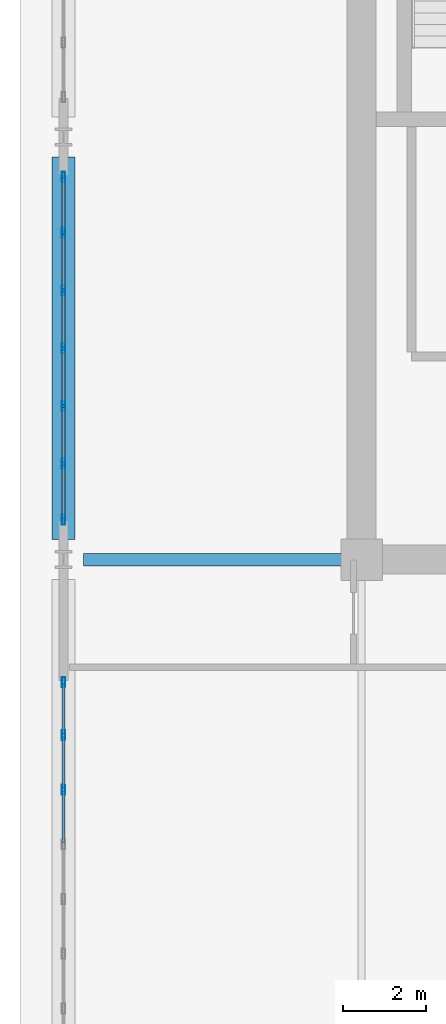
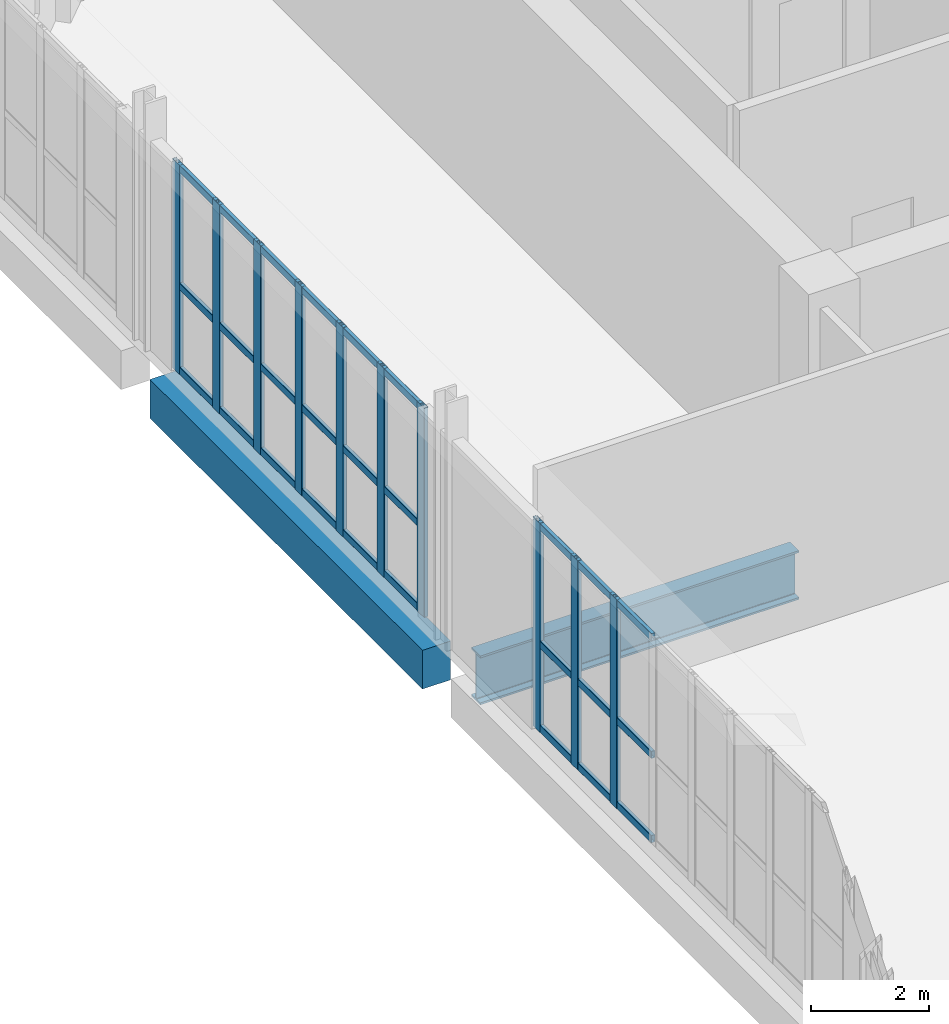
# One storey, part 6 of 26: 37 members, 2 beams, 2 elements without a shape of their own.
"""IFC4 building model written with IfcOpenShell, lengths in metres."""

from ifc_helpers import new_model, si_unit, direction, frame, origin, origin_2d, place, context, subcontext, project, spatial, rectangle, hollow_rectangle, i_section, extrude, material, layer, layer_set, material_profile, profile_set, type_object, element, aggregate, save


model = new_model("IFC4")

# Units and contexts
model_context = context("Model", 3, precision=1e-05, world=origin(), true_north=direction((0.0, 1.0)))
body_context = subcontext(model_context, "Body", "Model", "MODEL_VIEW")
ifc_project = project(units=[si_unit("LENGTHUNIT", "METRE"), si_unit("AREAUNIT", "SQUARE_METRE"), si_unit("VOLUMEUNIT", "CUBIC_METRE"), si_unit("PLANEANGLEUNIT", "RADIAN"), si_unit("MASSUNIT", "GRAM", prefix="KILO")], contexts=[model_context])

# Site, building, storey
site_placement = place(None, origin())
site = spatial("IfcSite", under=ifc_project, at=site_placement, CompositionType="ELEMENT")
building_placement = place(site_placement, origin())
building = spatial("IfcBuilding", under=site, at=building_placement, Name="Kaelvorn Grand Hotel", CompositionType="ELEMENT")
storey_placement = place(building_placement, frame((0.0, 0.0, 294.699951171875)))
storey = spatial("IfcBuildingStorey", under=building, at=storey_placement, Name="L72", CompositionType="ELEMENT", Elevation=294.699951171875)

# Beams
ifc_material_1 = material(Name="Steel S460", Category="steel")
ifc_material_profile_1 = material_profile(ifc_material_1, i_section(OverallWidth=0.302001953125, OverallDepth=1.008056640625, WebThickness=0.02099609375, FlangeThickness=0.0400390625, FilletRadius=0.024169921875, at=origin_2d()), Name="UB 1016x305x349")
ifc_profile_set_1 = profile_set([ifc_material_profile_1], Name="Steel S460")
beam_type_1 = type_object("IfcBeamType", Name="BM-G-UB1016-S460", PredefinedType="BEAM", material=ifc_profile_set_1)
beam_1_placement = place(storey_placement, frame((9.485107421875, 29.39990234375, -0.884033203125), z_axis=(1.0, 0.0, 0.0), x_axis=(0.0, 1.0, 0.0)))
element("IfcBeam", 1, at=beam_1_placement, inside=storey, type_object=beam_type_1, Name="L72 West Core Wing Steel Girder G-29W 01", PredefinedType="BEAM", context=body_context, shape_type="SweptSolid", body=[
    extrude(i_section(OverallWidth=0.302001953125, OverallDepth=1.008056640625, WebThickness=0.02099609375, FlangeThickness=0.0400390625, FilletRadius=0.024169921875, at=origin_2d()), origin(), (0.0, 0.0, 1.0), 6.22998046875),
])
ifc_material_2 = material(Name="Concrete C50/60", Category="concrete")
ifc_material_profile_2 = material_profile(ifc_material_2, rectangle(XDim=0.550048828125, YDim=0.800048828125, at=origin_2d()), Name="RC SPANDREL 550x800")
ifc_profile_set_2 = profile_set([ifc_material_profile_2], Name="Concrete C50/60")
beam_type_2 = type_object("IfcBeamType", Name="BM-SP-550x800-C50", PredefinedType="SPANDREL", material=ifc_profile_set_2)
beam_2_placement = place(storey_placement, frame((9.0, 29.885009765625, -0.780029296875), z_axis=(0.0, 1.0, 0.0), x_axis=(-1.0, 0.0, 0.0)))
element("IfcBeam", 2, at=beam_2_placement, inside=storey, type_object=beam_type_2, Name="L72 West Perimeter Spandrel 03", PredefinedType="SPANDREL", context=body_context, shape_type="SweptSolid", body=[
    extrude(rectangle(XDim=0.550048828125, YDim=0.800048828125, at=origin_2d()), origin(), (0.0, 0.0, 1.0), 9.22998046875),
])

# Curtain wall, members
ifc_material_3 = material(Name="Anodised Aluminium", Category="aluminium")
ifc_layer = layer(ifc_material_3, 0.239990234375)
ifc_layer_set = layer_set([ifc_layer], Name="Anodised Aluminium")
curtain_wall_type = type_object("IfcCurtainWallType", Name="CW-SYS5", PredefinedType="NOTDEFINED", material=ifc_layer_set)
curtain_wall_1_placement = place(storey_placement, origin())
curtain_wall_1 = element("IfcCurtainWall", 3, at=curtain_wall_1_placement, inside=storey, type_object=curtain_wall_type, Name="L72 Unitised Curtain Wall CW5 (CW-L72-W-03)", PredefinedType="NOTDEFINED")
ifc_material_profile_3 = material_profile(ifc_material_3, hollow_rectangle(XDim=0.080078125, YDim=0.239990234375, WallThickness=0.0048828125, InnerFilletRadius=0.0048828125, OuterFilletRadius=0.010009765625, at=origin_2d()), Name="ALU MULL 80x240")
ifc_profile_set_3 = profile_set([ifc_material_profile_3], Name="Anodised Aluminium")
member_type_1 = type_object("IfcMemberType", Name="CW-SYS5-MULL", PredefinedType="MULLION", material=ifc_profile_set_3)
member_1_placement = place(storey_placement, frame((9.0, 38.639892578125, 0.0), z_axis=(0.0, 0.0, 1.0), x_axis=(1.0, 0.0, 0.0)))
member_1 = element("IfcMember", 4, at=member_1_placement, type_object=member_type_1, Name="CW5 mullion 1", PredefinedType="MULLION", context=body_context, shape_type="SweptSolid", body=[
    extrude(hollow_rectangle(XDim=0.080078125, YDim=0.239990234375, WallThickness=0.0048828125, InnerFilletRadius=0.0048828125, OuterFilletRadius=0.010009765625, at=origin_2d()), origin(), (0.0, 0.0, 1.0), 4.320068359375),
])
member_2_placement = place(storey_placement, frame((9.0, 37.28662109375, 0.0), z_axis=(0.0, 0.0, 1.0), x_axis=(1.0, 0.0, 0.0)))
member_2 = element("IfcMember", 5, at=member_2_placement, type_object=member_type_1, Name="CW5 mullion 2", PredefinedType="MULLION", context=body_context, shape_type="SweptSolid", body=[
    extrude(hollow_rectangle(XDim=0.080078125, YDim=0.239990234375, WallThickness=0.0048828125, InnerFilletRadius=0.0048828125, OuterFilletRadius=0.010009765625, at=origin_2d()), origin(), (0.0, 0.0, 1.0), 4.320068359375),
])
member_3_placement = place(storey_placement, frame((9.0, 35.893310546875, 0.0), z_axis=(0.0, 0.0, 1.0), x_axis=(1.0, 0.0, 0.0)))
member_3 = element("IfcMember", 6, at=member_3_placement, type_object=member_type_1, Name="CW5 mullion 3", PredefinedType="MULLION", context=body_context, shape_type="SweptSolid", body=[
    extrude(hollow_rectangle(XDim=0.080078125, YDim=0.239990234375, WallThickness=0.0048828125, InnerFilletRadius=0.0048828125, OuterFilletRadius=0.010009765625, at=origin_2d()), origin(), (0.0, 0.0, 1.0), 4.320068359375),
])
member_4_placement = place(storey_placement, frame((9.0, 34.5, 0.0), z_axis=(0.0, 0.0, 1.0), x_axis=(1.0, 0.0, 0.0)))
member_4 = element("IfcMember", 7, at=member_4_placement, type_object=member_type_1, Name="CW5 mullion 4", PredefinedType="MULLION", context=body_context, shape_type="SweptSolid", body=[
    extrude(hollow_rectangle(XDim=0.080078125, YDim=0.239990234375, WallThickness=0.0048828125, InnerFilletRadius=0.0048828125, OuterFilletRadius=0.010009765625, at=origin_2d()), origin(), (0.0, 0.0, 1.0), 4.320068359375),
])
member_5_placement = place(storey_placement, frame((9.0, 33.106689453125, 0.0), z_axis=(0.0, 0.0, 1.0), x_axis=(1.0, 0.0, 0.0)))
member_5 = element("IfcMember", 8, at=member_5_placement, type_object=member_type_1, Name="CW5 mullion 5", PredefinedType="MULLION", context=body_context, shape_type="SweptSolid", body=[
    extrude(hollow_rectangle(XDim=0.080078125, YDim=0.239990234375, WallThickness=0.0048828125, InnerFilletRadius=0.0048828125, OuterFilletRadius=0.010009765625, at=origin_2d()), origin(), (0.0, 0.0, 1.0), 4.320068359375),
])
member_6_placement = place(storey_placement, frame((9.0, 31.71337890625, 0.0), z_axis=(0.0, 0.0, 1.0), x_axis=(1.0, 0.0, 0.0)))
member_6 = element("IfcMember", 9, at=member_6_placement, type_object=member_type_1, Name="CW5 mullion 6", PredefinedType="MULLION", context=body_context, shape_type="SweptSolid", body=[
    extrude(hollow_rectangle(XDim=0.080078125, YDim=0.239990234375, WallThickness=0.0048828125, InnerFilletRadius=0.0048828125, OuterFilletRadius=0.010009765625, at=origin_2d()), origin(), (0.0, 0.0, 1.0), 4.320068359375),
])
member_7_placement = place(storey_placement, frame((9.0, 30.360107421875, 0.0), z_axis=(0.0, 0.0, 1.0), x_axis=(1.0, 0.0, 0.0)))
member_7 = element("IfcMember", 10, at=member_7_placement, type_object=member_type_1, Name="CW5 mullion 7", PredefinedType="MULLION", context=body_context, shape_type="SweptSolid", body=[
    extrude(hollow_rectangle(XDim=0.080078125, YDim=0.239990234375, WallThickness=0.0048828125, InnerFilletRadius=0.0048828125, OuterFilletRadius=0.010009765625, at=origin_2d()), origin(), (0.0, 0.0, 1.0), 4.320068359375),
])

curtain_wall_2_placement = place(storey_placement, origin())
curtain_wall_2 = element("IfcCurtainWall", 11, at=curtain_wall_2_placement, inside=storey, type_object=curtain_wall_type, Name="L72 Unitised Curtain Wall CW5 (CW-L72-W-02)", PredefinedType="NOTDEFINED")
member_8_placement = place(storey_placement, frame((9.0, 26.43994140625, 0.0), z_axis=(0.0, 0.0, 1.0), x_axis=(1.0, 0.0, 0.0)))
member_8 = element("IfcMember", 12, at=member_8_placement, type_object=member_type_1, Name="CW5 mullion 1", PredefinedType="MULLION", context=body_context, shape_type="SweptSolid", body=[
    extrude(hollow_rectangle(XDim=0.080078125, YDim=0.239990234375, WallThickness=0.0048828125, InnerFilletRadius=0.0048828125, OuterFilletRadius=0.010009765625, at=origin_2d()), origin(), (0.0, 0.0, 1.0), 4.320068359375),
])
member_9_placement = place(storey_placement, frame((9.0, 25.159912109375, 0.0), z_axis=(0.0, 0.0, 1.0), x_axis=(1.0, 0.0, 0.0)))
member_9 = element("IfcMember", 13, at=member_9_placement, type_object=member_type_1, Name="CW5 mullion 2", PredefinedType="MULLION", context=body_context, shape_type="SweptSolid", body=[
    extrude(hollow_rectangle(XDim=0.080078125, YDim=0.239990234375, WallThickness=0.0048828125, InnerFilletRadius=0.0048828125, OuterFilletRadius=0.010009765625, at=origin_2d()), origin(), (0.0, 0.0, 1.0), 4.320068359375),
])
member_10_placement = place(storey_placement, frame((9.0, 23.840087890625, 0.0), z_axis=(0.0, 0.0, 1.0), x_axis=(1.0, 0.0, 0.0)))
member_10 = element("IfcMember", 14, at=member_10_placement, type_object=member_type_1, Name="CW5 mullion 3", PredefinedType="MULLION", context=body_context, shape_type="SweptSolid", body=[
    extrude(hollow_rectangle(XDim=0.080078125, YDim=0.239990234375, WallThickness=0.0048828125, InnerFilletRadius=0.0048828125, OuterFilletRadius=0.010009765625, at=origin_2d()), origin(), (0.0, 0.0, 1.0), 4.320068359375),
])

# Member
ifc_material_profile_4 = material_profile(ifc_material_3, hollow_rectangle(XDim=0.074951171875, YDim=0.14990234375, WallThickness=0.00390625, InnerFilletRadius=0.00390625, OuterFilletRadius=0.008056640625, at=origin_2d()), Name="ALU TRAN 75x150")
ifc_profile_set_4 = profile_set([ifc_material_profile_4], Name="Anodised Aluminium")
member_type_2 = type_object("IfcMemberType", Name="CW-SYS5-TRAN", PredefinedType="NOTDEFINED", material=ifc_profile_set_4)
member_11_placement = place(storey_placement, frame((9.0, 38.60009765625, 0.074951171875), z_axis=(0.0, -1.0, 0.0), x_axis=(1.0, 0.0, 0.0)))
member_11 = element("IfcMember", 15, at=member_11_placement, type_object=member_type_2, Name="CW5 transom 1.1", ObjectType="TRANSOM", PredefinedType="USERDEFINED", context=body_context, shape_type="SweptSolid", body=[
    extrude(hollow_rectangle(XDim=0.074951171875, YDim=0.14990234375, WallThickness=0.00390625, InnerFilletRadius=0.00390625, OuterFilletRadius=0.008056640625, at=origin_2d()), origin(), (0.0, 0.0, 1.0), 1.2734375),
])

member_12_placement = place(storey_placement, frame((9.0, 38.60009765625, 1.814453125), z_axis=(0.0, -1.0, 0.0), x_axis=(1.0, 0.0, 0.0)))
member_12 = element("IfcMember", 16, at=member_12_placement, type_object=member_type_2, Name="CW5 transom 1.2", ObjectType="TRANSOM", PredefinedType="USERDEFINED", context=body_context, shape_type="SweptSolid", body=[
    extrude(hollow_rectangle(XDim=0.074951171875, YDim=0.14990234375, WallThickness=0.00390625, InnerFilletRadius=0.00390625, OuterFilletRadius=0.008056640625, at=origin_2d()), origin(), (0.0, 0.0, 1.0), 1.2734375),
])

member_13_placement = place(storey_placement, frame((9.0, 38.60009765625, 4.2451171875), z_axis=(0.0, -1.0, 0.0), x_axis=(1.0, 0.0, 0.0)))
member_13 = element("IfcMember", 17, at=member_13_placement, type_object=member_type_2, Name="CW5 transom 1.3", ObjectType="TRANSOM", PredefinedType="USERDEFINED", context=body_context, shape_type="SweptSolid", body=[
    extrude(hollow_rectangle(XDim=0.074951171875, YDim=0.14990234375, WallThickness=0.00390625, InnerFilletRadius=0.00390625, OuterFilletRadius=0.008056640625, at=origin_2d()), origin(), (0.0, 0.0, 1.0), 1.2734375),
])

member_14_placement = place(storey_placement, frame((9.0, 37.24658203125, 0.074951171875), z_axis=(0.0, -1.0, 0.0), x_axis=(1.0, 0.0, 0.0)))
member_14 = element("IfcMember", 18, at=member_14_placement, type_object=member_type_2, Name="CW5 transom 2.1", ObjectType="TRANSOM", PredefinedType="USERDEFINED", context=body_context, shape_type="SweptSolid", body=[
    extrude(hollow_rectangle(XDim=0.074951171875, YDim=0.14990234375, WallThickness=0.00390625, InnerFilletRadius=0.00390625, OuterFilletRadius=0.008056640625, at=origin_2d()), origin(), (0.0, 0.0, 1.0), 1.313232421875),
])

member_15_placement = place(storey_placement, frame((9.0, 37.24658203125, 1.814453125), z_axis=(0.0, -1.0, 0.0), x_axis=(1.0, 0.0, 0.0)))
member_15 = element("IfcMember", 19, at=member_15_placement, type_object=member_type_2, Name="CW5 transom 2.2", ObjectType="TRANSOM", PredefinedType="USERDEFINED", context=body_context, shape_type="SweptSolid", body=[
    extrude(hollow_rectangle(XDim=0.074951171875, YDim=0.14990234375, WallThickness=0.00390625, InnerFilletRadius=0.00390625, OuterFilletRadius=0.008056640625, at=origin_2d()), origin(), (0.0, 0.0, 1.0), 1.313232421875),
])

member_16_placement = place(storey_placement, frame((9.0, 37.24658203125, 4.2451171875), z_axis=(0.0, -1.0, 0.0), x_axis=(1.0, 0.0, 0.0)))
member_16 = element("IfcMember", 20, at=member_16_placement, type_object=member_type_2, Name="CW5 transom 2.3", ObjectType="TRANSOM", PredefinedType="USERDEFINED", context=body_context, shape_type="SweptSolid", body=[
    extrude(hollow_rectangle(XDim=0.074951171875, YDim=0.14990234375, WallThickness=0.00390625, InnerFilletRadius=0.00390625, OuterFilletRadius=0.008056640625, at=origin_2d()), origin(), (0.0, 0.0, 1.0), 1.313232421875),
])

member_17_placement = place(storey_placement, frame((9.0, 35.853271484375, 0.074951171875), z_axis=(0.0, -1.0, 0.0), x_axis=(1.0, 0.0, 0.0)))
member_17 = element("IfcMember", 21, at=member_17_placement, type_object=member_type_2, Name="CW5 transom 3.1", ObjectType="TRANSOM", PredefinedType="USERDEFINED", context=body_context, shape_type="SweptSolid", body=[
    extrude(hollow_rectangle(XDim=0.074951171875, YDim=0.14990234375, WallThickness=0.00390625, InnerFilletRadius=0.00390625, OuterFilletRadius=0.008056640625, at=origin_2d()), origin(), (0.0, 0.0, 1.0), 1.313232421875),
])

member_18_placement = place(storey_placement, frame((9.0, 35.853271484375, 1.814453125), z_axis=(0.0, -1.0, 0.0), x_axis=(1.0, 0.0, 0.0)))
member_18 = element("IfcMember", 22, at=member_18_placement, type_object=member_type_2, Name="CW5 transom 3.2", ObjectType="TRANSOM", PredefinedType="USERDEFINED", context=body_context, shape_type="SweptSolid", body=[
    extrude(hollow_rectangle(XDim=0.074951171875, YDim=0.14990234375, WallThickness=0.00390625, InnerFilletRadius=0.00390625, OuterFilletRadius=0.008056640625, at=origin_2d()), origin(), (0.0, 0.0, 1.0), 1.313232421875),
])

member_19_placement = place(storey_placement, frame((9.0, 35.853271484375, 4.2451171875), z_axis=(0.0, -1.0, 0.0), x_axis=(1.0, 0.0, 0.0)))
member_19 = element("IfcMember", 23, at=member_19_placement, type_object=member_type_2, Name="CW5 transom 3.3", ObjectType="TRANSOM", PredefinedType="USERDEFINED", context=body_context, shape_type="SweptSolid", body=[
    extrude(hollow_rectangle(XDim=0.074951171875, YDim=0.14990234375, WallThickness=0.00390625, InnerFilletRadius=0.00390625, OuterFilletRadius=0.008056640625, at=origin_2d()), origin(), (0.0, 0.0, 1.0), 1.313232421875),
])

member_20_placement = place(storey_placement, frame((9.0, 34.4599609375, 0.074951171875), z_axis=(0.0, -1.0, 0.0), x_axis=(1.0, 0.0, 0.0)))
member_20 = element("IfcMember", 24, at=member_20_placement, type_object=member_type_2, Name="CW5 transom 4.1", ObjectType="TRANSOM", PredefinedType="USERDEFINED", context=body_context, shape_type="SweptSolid", body=[
    extrude(hollow_rectangle(XDim=0.074951171875, YDim=0.14990234375, WallThickness=0.00390625, InnerFilletRadius=0.00390625, OuterFilletRadius=0.008056640625, at=origin_2d()), origin(), (0.0, 0.0, 1.0), 1.313232421875),
])

member_21_placement = place(storey_placement, frame((9.0, 34.4599609375, 1.814453125), z_axis=(0.0, -1.0, 0.0), x_axis=(1.0, 0.0, 0.0)))
member_21 = element("IfcMember", 25, at=member_21_placement, type_object=member_type_2, Name="CW5 transom 4.2", ObjectType="TRANSOM", PredefinedType="USERDEFINED", context=body_context, shape_type="SweptSolid", body=[
    extrude(hollow_rectangle(XDim=0.074951171875, YDim=0.14990234375, WallThickness=0.00390625, InnerFilletRadius=0.00390625, OuterFilletRadius=0.008056640625, at=origin_2d()), origin(), (0.0, 0.0, 1.0), 1.313232421875),
])

member_22_placement = place(storey_placement, frame((9.0, 34.4599609375, 4.2451171875), z_axis=(0.0, -1.0, 0.0), x_axis=(1.0, 0.0, 0.0)))
member_22 = element("IfcMember", 26, at=member_22_placement, type_object=member_type_2, Name="CW5 transom 4.3", ObjectType="TRANSOM", PredefinedType="USERDEFINED", context=body_context, shape_type="SweptSolid", body=[
    extrude(hollow_rectangle(XDim=0.074951171875, YDim=0.14990234375, WallThickness=0.00390625, InnerFilletRadius=0.00390625, OuterFilletRadius=0.008056640625, at=origin_2d()), origin(), (0.0, 0.0, 1.0), 1.313232421875),
])

member_23_placement = place(storey_placement, frame((9.0, 33.066650390625, 0.074951171875), z_axis=(0.0, -1.0, 0.0), x_axis=(1.0, 0.0, 0.0)))
member_23 = element("IfcMember", 27, at=member_23_placement, type_object=member_type_2, Name="CW5 transom 5.1", ObjectType="TRANSOM", PredefinedType="USERDEFINED", context=body_context, shape_type="SweptSolid", body=[
    extrude(hollow_rectangle(XDim=0.074951171875, YDim=0.14990234375, WallThickness=0.00390625, InnerFilletRadius=0.00390625, OuterFilletRadius=0.008056640625, at=origin_2d()), origin(), (0.0, 0.0, 1.0), 1.313232421875),
])

member_24_placement = place(storey_placement, frame((9.0, 33.066650390625, 1.814453125), z_axis=(0.0, -1.0, 0.0), x_axis=(1.0, 0.0, 0.0)))
member_24 = element("IfcMember", 28, at=member_24_placement, type_object=member_type_2, Name="CW5 transom 5.2", ObjectType="TRANSOM", PredefinedType="USERDEFINED", context=body_context, shape_type="SweptSolid", body=[
    extrude(hollow_rectangle(XDim=0.074951171875, YDim=0.14990234375, WallThickness=0.00390625, InnerFilletRadius=0.00390625, OuterFilletRadius=0.008056640625, at=origin_2d()), origin(), (0.0, 0.0, 1.0), 1.313232421875),
])

member_25_placement = place(storey_placement, frame((9.0, 33.066650390625, 4.2451171875), z_axis=(0.0, -1.0, 0.0), x_axis=(1.0, 0.0, 0.0)))
member_25 = element("IfcMember", 29, at=member_25_placement, type_object=member_type_2, Name="CW5 transom 5.3", ObjectType="TRANSOM", PredefinedType="USERDEFINED", context=body_context, shape_type="SweptSolid", body=[
    extrude(hollow_rectangle(XDim=0.074951171875, YDim=0.14990234375, WallThickness=0.00390625, InnerFilletRadius=0.00390625, OuterFilletRadius=0.008056640625, at=origin_2d()), origin(), (0.0, 0.0, 1.0), 1.313232421875),
])

member_26_placement = place(storey_placement, frame((9.0, 31.67333984375, 0.074951171875), z_axis=(0.0, -1.0, 0.0), x_axis=(1.0, 0.0, 0.0)))
member_26 = element("IfcMember", 30, at=member_26_placement, type_object=member_type_2, Name="CW5 transom 6.1", ObjectType="TRANSOM", PredefinedType="USERDEFINED", context=body_context, shape_type="SweptSolid", body=[
    extrude(hollow_rectangle(XDim=0.074951171875, YDim=0.14990234375, WallThickness=0.00390625, InnerFilletRadius=0.00390625, OuterFilletRadius=0.008056640625, at=origin_2d()), origin(), (0.0, 0.0, 1.0), 1.2734375),
])

member_27_placement = place(storey_placement, frame((9.0, 31.67333984375, 1.814453125), z_axis=(0.0, -1.0, 0.0), x_axis=(1.0, 0.0, 0.0)))
member_27 = element("IfcMember", 31, at=member_27_placement, type_object=member_type_2, Name="CW5 transom 6.2", ObjectType="TRANSOM", PredefinedType="USERDEFINED", context=body_context, shape_type="SweptSolid", body=[
    extrude(hollow_rectangle(XDim=0.074951171875, YDim=0.14990234375, WallThickness=0.00390625, InnerFilletRadius=0.00390625, OuterFilletRadius=0.008056640625, at=origin_2d()), origin(), (0.0, 0.0, 1.0), 1.2734375),
])

member_28_placement = place(storey_placement, frame((9.0, 31.67333984375, 4.2451171875), z_axis=(0.0, -1.0, 0.0), x_axis=(1.0, 0.0, 0.0)))
member_28 = element("IfcMember", 32, at=member_28_placement, type_object=member_type_2, Name="CW5 transom 6.3", ObjectType="TRANSOM", PredefinedType="USERDEFINED", context=body_context, shape_type="SweptSolid", body=[
    extrude(hollow_rectangle(XDim=0.074951171875, YDim=0.14990234375, WallThickness=0.00390625, InnerFilletRadius=0.00390625, OuterFilletRadius=0.008056640625, at=origin_2d()), origin(), (0.0, 0.0, 1.0), 1.2734375),
])

aggregate(curtain_wall_1, [member_1, member_2, member_3, member_4, member_5, member_6, member_7, member_11, member_12, member_13, member_14, member_15, member_16, member_17, member_18, member_19, member_20, member_21, member_22, member_23, member_24, member_25, member_26, member_27, member_28])

member_29_placement = place(storey_placement, frame((9.0, 26.39990234375, 0.074951171875), z_axis=(0.0, -1.0, 0.0), x_axis=(1.0, 0.0, 0.0)))
member_29 = element("IfcMember", 33, at=member_29_placement, type_object=member_type_2, Name="CW5 transom 1.1", ObjectType="TRANSOM", PredefinedType="USERDEFINED", context=body_context, shape_type="SweptSolid", body=[
    extrude(hollow_rectangle(XDim=0.074951171875, YDim=0.14990234375, WallThickness=0.00390625, InnerFilletRadius=0.00390625, OuterFilletRadius=0.008056640625, at=origin_2d()), origin(), (0.0, 0.0, 1.0), 1.199951171875),
])

member_30_placement = place(storey_placement, frame((9.0, 26.39990234375, 1.814453125), z_axis=(0.0, -1.0, 0.0), x_axis=(1.0, 0.0, 0.0)))
member_30 = element("IfcMember", 34, at=member_30_placement, type_object=member_type_2, Name="CW5 transom 1.2", ObjectType="TRANSOM", PredefinedType="USERDEFINED", context=body_context, shape_type="SweptSolid", body=[
    extrude(hollow_rectangle(XDim=0.074951171875, YDim=0.14990234375, WallThickness=0.00390625, InnerFilletRadius=0.00390625, OuterFilletRadius=0.008056640625, at=origin_2d()), origin(), (0.0, 0.0, 1.0), 1.199951171875),
])

member_31_placement = place(storey_placement, frame((9.0, 26.39990234375, 4.2451171875), z_axis=(0.0, -1.0, 0.0), x_axis=(1.0, 0.0, 0.0)))
member_31 = element("IfcMember", 35, at=member_31_placement, type_object=member_type_2, Name="CW5 transom 1.3", ObjectType="TRANSOM", PredefinedType="USERDEFINED", context=body_context, shape_type="SweptSolid", body=[
    extrude(hollow_rectangle(XDim=0.074951171875, YDim=0.14990234375, WallThickness=0.00390625, InnerFilletRadius=0.00390625, OuterFilletRadius=0.008056640625, at=origin_2d()), origin(), (0.0, 0.0, 1.0), 1.199951171875),
])

member_32_placement = place(storey_placement, frame((9.0, 25.1201171875, 0.074951171875), z_axis=(0.0, -1.0, 0.0), x_axis=(1.0, 0.0, 0.0)))
member_32 = element("IfcMember", 36, at=member_32_placement, type_object=member_type_2, Name="CW5 transom 2.1", ObjectType="TRANSOM", PredefinedType="USERDEFINED", context=body_context, shape_type="SweptSolid", body=[
    extrude(hollow_rectangle(XDim=0.074951171875, YDim=0.14990234375, WallThickness=0.00390625, InnerFilletRadius=0.00390625, OuterFilletRadius=0.008056640625, at=origin_2d()), origin(), (0.0, 0.0, 1.0), 1.240234375),
])

member_33_placement = place(storey_placement, frame((9.0, 25.1201171875, 1.814453125), z_axis=(0.0, -1.0, 0.0), x_axis=(1.0, 0.0, 0.0)))
member_33 = element("IfcMember", 37, at=member_33_placement, type_object=member_type_2, Name="CW5 transom 2.2", ObjectType="TRANSOM", PredefinedType="USERDEFINED", context=body_context, shape_type="SweptSolid", body=[
    extrude(hollow_rectangle(XDim=0.074951171875, YDim=0.14990234375, WallThickness=0.00390625, InnerFilletRadius=0.00390625, OuterFilletRadius=0.008056640625, at=origin_2d()), origin(), (0.0, 0.0, 1.0), 1.240234375),
])

member_34_placement = place(storey_placement, frame((9.0, 25.1201171875, 4.2451171875), z_axis=(0.0, -1.0, 0.0), x_axis=(1.0, 0.0, 0.0)))
member_34 = element("IfcMember", 38, at=member_34_placement, type_object=member_type_2, Name="CW5 transom 2.3", ObjectType="TRANSOM", PredefinedType="USERDEFINED", context=body_context, shape_type="SweptSolid", body=[
    extrude(hollow_rectangle(XDim=0.074951171875, YDim=0.14990234375, WallThickness=0.00390625, InnerFilletRadius=0.00390625, OuterFilletRadius=0.008056640625, at=origin_2d()), origin(), (0.0, 0.0, 1.0), 1.240234375),
])

member_35_placement = place(storey_placement, frame((9.0, 23.800048828125, 0.074951171875), z_axis=(0.0, -1.0, 0.0), x_axis=(1.0, 0.0, 0.0)))
member_35 = element("IfcMember", 39, at=member_35_placement, type_object=member_type_2, Name="CW5 transom 3.1", ObjectType="TRANSOM", PredefinedType="USERDEFINED", context=body_context, shape_type="SweptSolid", body=[
    extrude(hollow_rectangle(XDim=0.074951171875, YDim=0.14990234375, WallThickness=0.00390625, InnerFilletRadius=0.00390625, OuterFilletRadius=0.008056640625, at=origin_2d()), origin(), (0.0, 0.0, 1.0), 1.239990234375),
])

member_36_placement = place(storey_placement, frame((9.0, 23.800048828125, 1.814453125), z_axis=(0.0, -1.0, 0.0), x_axis=(1.0, 0.0, 0.0)))
member_36 = element("IfcMember", 40, at=member_36_placement, type_object=member_type_2, Name="CW5 transom 3.2", ObjectType="TRANSOM", PredefinedType="USERDEFINED", context=body_context, shape_type="SweptSolid", body=[
    extrude(hollow_rectangle(XDim=0.074951171875, YDim=0.14990234375, WallThickness=0.00390625, InnerFilletRadius=0.00390625, OuterFilletRadius=0.008056640625, at=origin_2d()), origin(), (0.0, 0.0, 1.0), 1.239990234375),
])

member_37_placement = place(storey_placement, frame((9.0, 23.800048828125, 4.2451171875), z_axis=(0.0, -1.0, 0.0), x_axis=(1.0, 0.0, 0.0)))
member_37 = element("IfcMember", 41, at=member_37_placement, type_object=member_type_2, Name="CW5 transom 3.3", ObjectType="TRANSOM", PredefinedType="USERDEFINED", context=body_context, shape_type="SweptSolid", body=[
    extrude(hollow_rectangle(XDim=0.074951171875, YDim=0.14990234375, WallThickness=0.00390625, InnerFilletRadius=0.00390625, OuterFilletRadius=0.008056640625, at=origin_2d()), origin(), (0.0, 0.0, 1.0), 1.239990234375),
])

aggregate(curtain_wall_2, [member_8, member_9, member_10, member_29, member_30, member_31, member_32, member_33, member_34, member_35, member_36, member_37])

save(model, "model.ifc")
